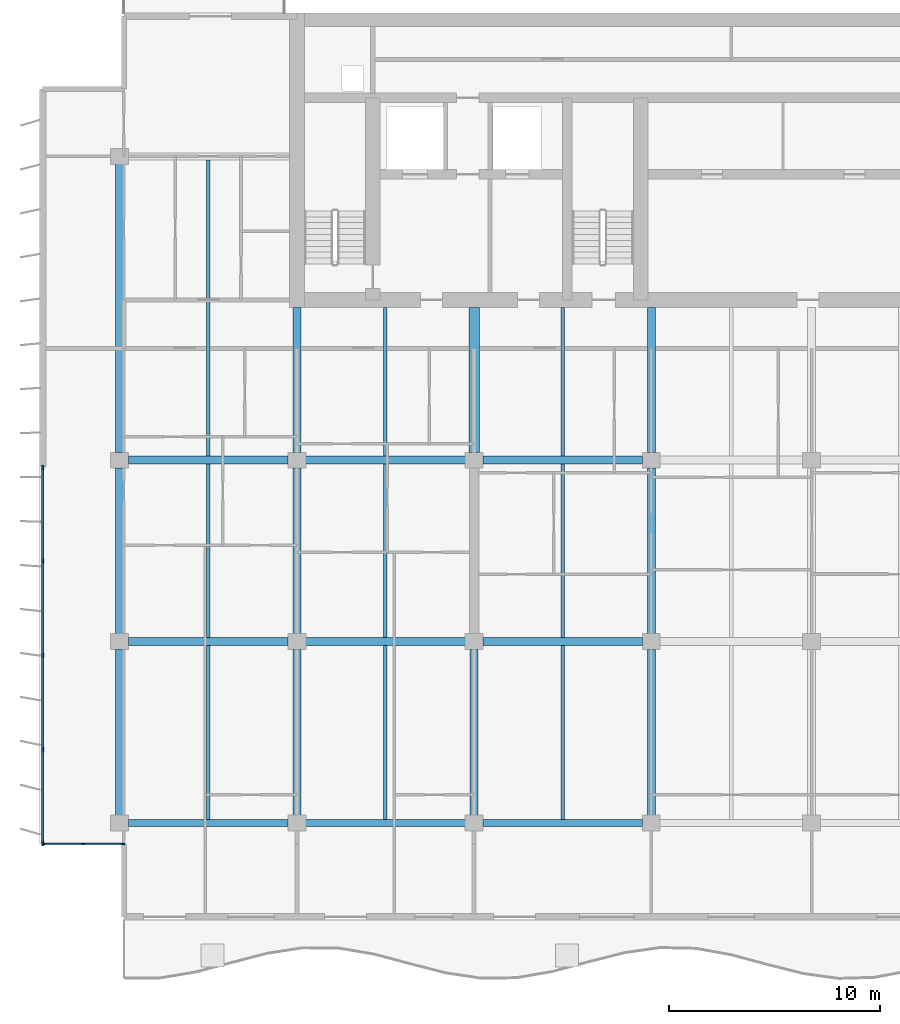
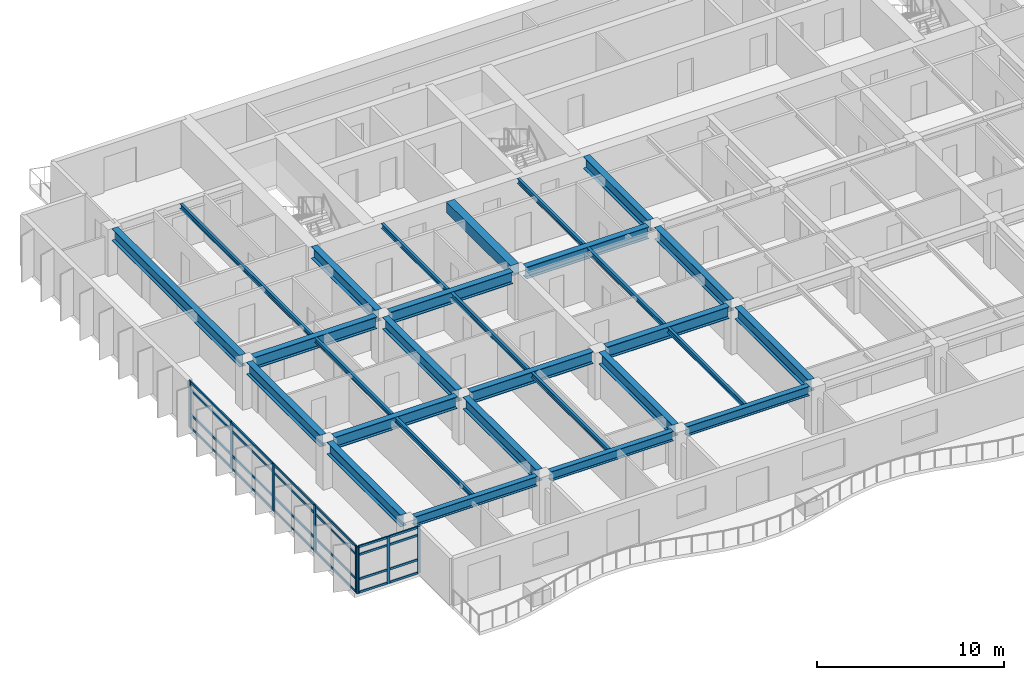
# One storey, part 2 of 16: 32 members, 29 beams, 2 elements without a shape of their own.
"""IFC4 building model written with IfcOpenShell, lengths in metres."""

from ifc_helpers import new_model, si_unit, direction, frame, origin, origin_2d, place, context, subcontext, project, spatial, rectangle, i_section, extrude, material, layer, layer_set, material_profile, profile_set, type_object, element, aggregate, save


model = new_model("IFC4")

# Units and contexts
model_context = context("Model", 3, precision=1e-05, world=origin(), true_north=direction((0.0, 1.0)))
body_context = subcontext(model_context, "Body", "Model", "MODEL_VIEW")
ifc_project = project(units=[si_unit("LENGTHUNIT", "METRE"), si_unit("AREAUNIT", "SQUARE_METRE"), si_unit("VOLUMEUNIT", "CUBIC_METRE"), si_unit("PLANEANGLEUNIT", "RADIAN"), si_unit("MASSUNIT", "GRAM", prefix="KILO")], contexts=[model_context])

# Site, building, storey
site_placement = place(None, origin())
site = spatial("IfcSite", under=ifc_project, at=site_placement, CompositionType="ELEMENT")
building_placement = place(site_placement, origin())
building = spatial("IfcBuilding", under=site, at=building_placement, Name="Caelmar Bay Residences", CompositionType="ELEMENT")
storey_placement = place(building_placement, frame((0.0, 0.0, 198.300048828125)))
storey = spatial("IfcBuildingStorey", under=building, at=storey_placement, Name="L55", CompositionType="ELEMENT", Elevation=198.300048828125)

# Beams
ifc_material_1 = material(Name="Steel ASTM A992 Grade 50", Category="steel")
ifc_material_profile_1 = material_profile(ifc_material_1, i_section(OverallWidth=0.381103515625, OverallDepth=0.77197265625, WebThickness=0.0166015625, FlangeThickness=0.027099609375, FilletRadius=0.0166015625, at=origin_2d()), Name="W30X173")
ifc_profile_set_1 = profile_set([ifc_material_profile_1], Name="Steel ASTM A992 Grade 50")
beam_type_1 = type_object("IfcBeamType", Name="BM-GRD-W30X173", PredefinedType="BEAM", material=ifc_profile_set_1)
beam_1_placement = place(storey_placement, frame((10.31494140625, 20.800048828125, 2.6640625), z_axis=(1.0, 0.0, 0.0), x_axis=(0.0, 1.0, 0.0)))
element("IfcBeam", 1, at=beam_1_placement, inside=storey, type_object=beam_type_1, Name="L55 East-West Girder Y=20.80 (9.9-18.3)", PredefinedType="BEAM", context=body_context, shape_type="SweptSolid", body=[
    extrude(i_section(OverallWidth=0.381103515625, OverallDepth=0.77197265625, WebThickness=0.0166015625, FlangeThickness=0.027099609375, FilletRadius=0.0166015625, at=origin_2d()), origin(), (0.0, 0.0, 1.0), 7.570068359375),
])
beam_2_placement = place(storey_placement, frame((18.715087890625, 20.800048828125, 2.6640625), z_axis=(1.0, 0.0, 0.0), x_axis=(0.0, 1.0, 0.0)))
element("IfcBeam", 2, at=beam_2_placement, inside=storey, type_object=beam_type_1, Name="L55 East-West Girder Y=20.80 (18.3-26.7)", PredefinedType="BEAM", context=body_context, shape_type="SweptSolid", body=[
    extrude(i_section(OverallWidth=0.381103515625, OverallDepth=0.77197265625, WebThickness=0.0166015625, FlangeThickness=0.027099609375, FilletRadius=0.0166015625, at=origin_2d()), origin(), (0.0, 0.0, 1.0), 7.56982421875),
])
for number, where, z_axis, x_axis, name in (
    (3, (27.114990234375, 20.800048828125, 2.6640625), (1.0, 0.0, 0.0), (0.0, 1.0, 0.0), "L55 East-West Girder Y=20.80 (26.7-35.1)"),
    (4, (10.31494140625, 29.39990234375, 2.6640625), (1.0, 0.0, 0.0), (0.0, 1.0, 0.0), "L55 East-West Girder Y=29.40 (9.9-18.3)"),
):
    element("IfcBeam", number, at=place(storey_placement, frame(where, z_axis=z_axis, x_axis=x_axis)), inside=storey, type_object=beam_type_1, Name=name, PredefinedType="BEAM", context=body_context, shape_type="SweptSolid", body=[
        extrude(i_section(OverallWidth=0.381103515625, OverallDepth=0.77197265625, WebThickness=0.0166015625, FlangeThickness=0.027099609375, FilletRadius=0.0166015625, at=origin_2d()), origin(), (0.0, 0.0, 1.0), 7.570068359375),
    ])
beam_3_placement = place(storey_placement, frame((18.715087890625, 29.39990234375, 2.6640625), z_axis=(1.0, 0.0, 0.0), x_axis=(0.0, 1.0, 0.0)))
element("IfcBeam", 5, at=beam_3_placement, inside=storey, type_object=beam_type_1, Name="L55 East-West Girder Y=29.40 (18.3-26.7)", PredefinedType="BEAM", context=body_context, shape_type="SweptSolid", body=[
    extrude(i_section(OverallWidth=0.381103515625, OverallDepth=0.77197265625, WebThickness=0.0166015625, FlangeThickness=0.027099609375, FilletRadius=0.0166015625, at=origin_2d()), origin(), (0.0, 0.0, 1.0), 7.56982421875),
])
beam_4_placement = place(storey_placement, frame((27.114990234375, 29.39990234375, 2.6640625), z_axis=(1.0, 0.0, 0.0), x_axis=(0.0, 1.0, 0.0)))
element("IfcBeam", 6, at=beam_4_placement, inside=storey, type_object=beam_type_1, Name="L55 East-West Girder Y=29.40 (26.7-35.1)", PredefinedType="BEAM", context=body_context, shape_type="SweptSolid", body=[
    extrude(i_section(OverallWidth=0.381103515625, OverallDepth=0.77197265625, WebThickness=0.0166015625, FlangeThickness=0.027099609375, FilletRadius=0.0166015625, at=origin_2d()), origin(), (0.0, 0.0, 1.0), 7.570068359375),
])
beam_5_placement = place(storey_placement, frame((9.89990234375, 12.56494140625, 2.6640625), z_axis=(0.0, 1.0, 0.0), x_axis=(-1.0, 0.0, 0.0)))
element("IfcBeam", 7, at=beam_5_placement, inside=storey, type_object=beam_type_1, Name="L55 North-South Girder X=9.90 (12.2-20.8)", PredefinedType="BEAM", context=body_context, shape_type="SweptSolid", body=[
    extrude(i_section(OverallWidth=0.381103515625, OverallDepth=0.77197265625, WebThickness=0.0166015625, FlangeThickness=0.027099609375, FilletRadius=0.0166015625, at=origin_2d()), origin(), (0.0, 0.0, 1.0), 7.8701171875),
])
beam_6_placement = place(storey_placement, frame((9.89990234375, 21.1650390625, 2.6640625), z_axis=(0.0, 1.0, 0.0), x_axis=(-1.0, 0.0, 0.0)))
element("IfcBeam", 8, at=beam_6_placement, inside=storey, type_object=beam_type_1, Name="L55 North-South Girder X=9.90 (20.8-29.4)", PredefinedType="BEAM", context=body_context, shape_type="SweptSolid", body=[
    extrude(i_section(OverallWidth=0.381103515625, OverallDepth=0.77197265625, WebThickness=0.0166015625, FlangeThickness=0.027099609375, FilletRadius=0.0166015625, at=origin_2d()), origin(), (0.0, 0.0, 1.0), 7.869873046875),
])
beam_7_placement = place(storey_placement, frame((9.89990234375, 29.764892578125, 2.6640625), z_axis=(0.0, 1.0, 0.0), x_axis=(-1.0, 0.0, 0.0)))
element("IfcBeam", 9, at=beam_7_placement, inside=storey, type_object=beam_type_1, Name="L55 North-South Girder X=9.90 (29.4-43.8)", PredefinedType="BEAM", context=body_context, shape_type="SweptSolid", body=[
    extrude(i_section(OverallWidth=0.381103515625, OverallDepth=0.77197265625, WebThickness=0.0166015625, FlangeThickness=0.027099609375, FilletRadius=0.0166015625, at=origin_2d()), origin(), (0.0, 0.0, 1.0), 13.670166015625),
])
beam_8_placement = place(storey_placement, frame((18.300048828125, 29.764892578125, 2.6640625), z_axis=(0.0, 1.0, 0.0), x_axis=(-1.0, 0.0, 0.0)))
element("IfcBeam", 10, at=beam_8_placement, inside=storey, type_object=beam_type_1, Name="L55 Core Tie Girder X=18.30", PredefinedType="BEAM", context=body_context, shape_type="SweptSolid", body=[
    extrude(i_section(OverallWidth=0.381103515625, OverallDepth=0.77197265625, WebThickness=0.0166015625, FlangeThickness=0.027099609375, FilletRadius=0.0166015625, at=origin_2d()), origin(), (0.0, 0.0, 1.0), 6.885009765625),
])
beam_9_placement = place(storey_placement, frame((18.300048828125, 12.56494140625, 2.6640625), z_axis=(0.0, 1.0, 0.0), x_axis=(-1.0, 0.0, 0.0)))
element("IfcBeam", 11, at=beam_9_placement, inside=storey, type_object=beam_type_1, Name="L55 North-South Girder X=18.30 (12.2-20.8)", PredefinedType="BEAM", context=body_context, shape_type="SweptSolid", body=[
    extrude(i_section(OverallWidth=0.381103515625, OverallDepth=0.77197265625, WebThickness=0.0166015625, FlangeThickness=0.027099609375, FilletRadius=0.0166015625, at=origin_2d()), origin(), (0.0, 0.0, 1.0), 7.8701171875),
])
beam_10_placement = place(storey_placement, frame((18.300048828125, 21.1650390625, 2.6640625), z_axis=(0.0, 1.0, 0.0), x_axis=(-1.0, 0.0, 0.0)))
element("IfcBeam", 12, at=beam_10_placement, inside=storey, type_object=beam_type_1, Name="L55 North-South Girder X=18.30 (20.8-29.4)", PredefinedType="BEAM", context=body_context, shape_type="SweptSolid", body=[
    extrude(i_section(OverallWidth=0.381103515625, OverallDepth=0.77197265625, WebThickness=0.0166015625, FlangeThickness=0.027099609375, FilletRadius=0.0166015625, at=origin_2d()), origin(), (0.0, 0.0, 1.0), 7.869873046875),
])
beam_11_placement = place(storey_placement, frame((26.699951171875, 12.56494140625, 2.6640625), z_axis=(0.0, 1.0, 0.0), x_axis=(-1.0, 0.0, 0.0)))
element("IfcBeam", 13, at=beam_11_placement, inside=storey, type_object=beam_type_1, Name="L55 North-South Girder X=26.70 (12.2-20.8)", PredefinedType="BEAM", context=body_context, shape_type="SweptSolid", body=[
    extrude(i_section(OverallWidth=0.381103515625, OverallDepth=0.77197265625, WebThickness=0.0166015625, FlangeThickness=0.027099609375, FilletRadius=0.0166015625, at=origin_2d()), origin(), (0.0, 0.0, 1.0), 7.8701171875),
])
beam_12_placement = place(storey_placement, frame((35.10009765625, 29.764892578125, 2.6640625), z_axis=(0.0, 1.0, 0.0), x_axis=(-1.0, 0.0, 0.0)))
element("IfcBeam", 14, at=beam_12_placement, inside=storey, type_object=beam_type_1, Name="L55 Core Tie Girder X=35.10", PredefinedType="BEAM", context=body_context, shape_type="SweptSolid", body=[
    extrude(i_section(OverallWidth=0.381103515625, OverallDepth=0.77197265625, WebThickness=0.0166015625, FlangeThickness=0.027099609375, FilletRadius=0.0166015625, at=origin_2d()), origin(), (0.0, 0.0, 1.0), 6.885009765625),
])
beam_13_placement = place(storey_placement, frame((35.10009765625, 12.56494140625, 2.6640625), z_axis=(0.0, 1.0, 0.0), x_axis=(-1.0, 0.0, 0.0)))
element("IfcBeam", 15, at=beam_13_placement, inside=storey, type_object=beam_type_1, Name="L55 North-South Girder X=35.10 (12.2-20.8)", PredefinedType="BEAM", context=body_context, shape_type="SweptSolid", body=[
    extrude(i_section(OverallWidth=0.381103515625, OverallDepth=0.77197265625, WebThickness=0.0166015625, FlangeThickness=0.027099609375, FilletRadius=0.0166015625, at=origin_2d()), origin(), (0.0, 0.0, 1.0), 7.8701171875),
])
beam_14_placement = place(storey_placement, frame((35.10009765625, 21.1650390625, 2.6640625), z_axis=(0.0, 1.0, 0.0), x_axis=(-1.0, 0.0, 0.0)))
element("IfcBeam", 16, at=beam_14_placement, inside=storey, type_object=beam_type_1, Name="L55 North-South Girder X=35.10 (20.8-29.4)", PredefinedType="BEAM", context=body_context, shape_type="SweptSolid", body=[
    extrude(i_section(OverallWidth=0.381103515625, OverallDepth=0.77197265625, WebThickness=0.0166015625, FlangeThickness=0.027099609375, FilletRadius=0.0166015625, at=origin_2d()), origin(), (0.0, 0.0, 1.0), 7.869873046875),
])
ifc_material_profile_2 = material_profile(ifc_material_1, i_section(OverallWidth=0.1650390625, OverallDepth=0.31005859375, WebThickness=0.005859375, FlangeThickness=0.009765625, FilletRadius=0.007568359375, at=origin_2d()), Name="W12X26")
ifc_profile_set_2 = profile_set([ifc_material_profile_2], Name="Steel ASTM A992 Grade 50")
beam_type_2 = type_object("IfcBeamType", Name="BM-JST-W12X26", PredefinedType="JOIST", material=ifc_profile_set_2)
for number, where, z_axis, x_axis, name in (
    (17, (14.10009765625, 12.362548828125, 2.89501953125), (0.0, 1.0, 0.0), (-1.0, 0.0, 0.0), "L55 Composite Floor Joist 1"),
    (18, (22.5, 12.362548828125, 2.89501953125), (0.0, 1.0, 0.0), (-1.0, 0.0, 0.0), "L55 Composite Floor Joist 2"),
    (19, (30.89990234375, 12.362548828125, 2.89501953125), (0.0, 1.0, 0.0), (-1.0, 0.0, 0.0), "L55 Composite Floor Joist 3"),
):
    element("IfcBeam", number, at=place(storey_placement, frame(where, z_axis=z_axis, x_axis=x_axis)), inside=storey, type_object=beam_type_2, Name=name, PredefinedType="JOIST", context=body_context, shape_type="SweptSolid", body=[
        extrude(i_section(OverallWidth=0.1650390625, OverallDepth=0.31005859375, WebThickness=0.005859375, FlangeThickness=0.009765625, FilletRadius=0.007568359375, at=origin_2d()), origin(), (0.0, 0.0, 1.0), 8.2470703125),
    ])
for number, where, z_axis, x_axis, name in (
    (20, (14.10009765625, 20.990478515625, 2.89501953125), (0.0, 1.0, 0.0), (-1.0, 0.0, 0.0), "L55 Composite Floor Joist 8"),
    (21, (22.5, 20.990478515625, 2.89501953125), (0.0, 1.0, 0.0), (-1.0, 0.0, 0.0), "L55 Composite Floor Joist 9"),
    (22, (30.89990234375, 20.990478515625, 2.89501953125), (0.0, 1.0, 0.0), (-1.0, 0.0, 0.0), "L55 Composite Floor Joist 10"),
):
    element("IfcBeam", number, at=place(storey_placement, frame(where, z_axis=z_axis, x_axis=x_axis)), inside=storey, type_object=beam_type_2, Name=name, PredefinedType="JOIST", context=body_context, shape_type="SweptSolid", body=[
        extrude(i_section(OverallWidth=0.1650390625, OverallDepth=0.31005859375, WebThickness=0.005859375, FlangeThickness=0.009765625, FilletRadius=0.007568359375, at=origin_2d()), origin(), (0.0, 0.0, 1.0), 8.218994140625),
    ])
for number, where, z_axis, x_axis, name in (
    (23, (22.5, 29.590576171875, 2.89501953125), (0.0, 1.0, 0.0), (-1.0, 0.0, 0.0), "L55 Core-Band Composite Joist 15"),
    (24, (30.89990234375, 29.590576171875, 2.89501953125), (0.0, 1.0, 0.0), (-1.0, 0.0, 0.0), "L55 Core-Band Composite Joist 16"),
):
    element("IfcBeam", number, at=place(storey_placement, frame(where, z_axis=z_axis, x_axis=x_axis)), inside=storey, type_object=beam_type_2, Name=name, PredefinedType="JOIST", context=body_context, shape_type="SweptSolid", body=[
        extrude(i_section(OverallWidth=0.1650390625, OverallDepth=0.31005859375, WebThickness=0.005859375, FlangeThickness=0.009765625, FilletRadius=0.007568359375, at=origin_2d()), origin(), (0.0, 0.0, 1.0), 7.059326171875),
    ])
beam_15_placement = place(storey_placement, frame((14.10009765625, 29.590576171875, 2.89501953125), z_axis=(0.0, 1.0, 0.0), x_axis=(-1.0, 0.0, 0.0)))
element("IfcBeam", 25, at=beam_15_placement, inside=storey, type_object=beam_type_2, Name="L55 Composite Floor Joist 20", PredefinedType="JOIST", context=body_context, shape_type="SweptSolid", body=[
    extrude(i_section(OverallWidth=0.1650390625, OverallDepth=0.31005859375, WebThickness=0.005859375, FlangeThickness=0.009765625, FilletRadius=0.007568359375, at=origin_2d()), origin(), (0.0, 0.0, 1.0), 14.046875),
])
ifc_material_2 = material(Name="Concrete f'c 55 MPa (8,000 psi)", Category="concrete")
ifc_material_profile_3 = material_profile(ifc_material_2, rectangle(XDim=0.5, YDim=0.699951171875, at=origin_2d()), Name="RC-BM-500X700")
ifc_profile_set_3 = profile_set([ifc_material_profile_3], Name="Concrete f'c 55 MPa (8,000 psi)")
beam_type_3 = type_object("IfcBeamType", Name="BM-RC-500X700", PredefinedType="LINTEL", material=ifc_profile_set_3)
beam_16_placement = place(storey_placement, frame((26.699951171875, 29.764892578125, 2.699951171875), z_axis=(0.0, 1.0, 0.0), x_axis=(-1.0, 0.0, 0.0)))
element("IfcBeam", 26, at=beam_16_placement, inside=storey, type_object=beam_type_3, Name="L55 Shear-Wall Corridor Coupling Lintel W5", PredefinedType="LINTEL", context=body_context, shape_type="SweptSolid", body=[
    extrude(rectangle(XDim=0.5, YDim=0.699951171875, at=origin_2d()), origin(), (0.0, 0.0, 1.0), 6.885009765625),
])
ifc_material_profile_4 = material_profile(ifc_material_1, i_section(OverallWidth=0.324951171875, OverallDepth=0.616943359375, WebThickness=0.013916015625, FlangeThickness=0.021484375, FilletRadius=0.0126953125, at=origin_2d()), Name="W24X117")
ifc_profile_set_4 = profile_set([ifc_material_profile_4], Name="Steel ASTM A992 Grade 50")
beam_type_4 = type_object("IfcBeamType", Name="BM-SPN-W24X117", PredefinedType="SPANDREL", material=ifc_profile_set_4)
beam_17_placement = place(storey_placement, frame((10.31494140625, 12.199951171875, 2.741455078125), z_axis=(1.0, 0.0, 0.0), x_axis=(0.0, 1.0, 0.0)))
element("IfcBeam", 27, at=beam_17_placement, inside=storey, type_object=beam_type_4, Name="L55 East-West Girder Y=12.20 (9.9-18.3)", PredefinedType="SPANDREL", context=body_context, shape_type="SweptSolid", body=[
    extrude(i_section(OverallWidth=0.324951171875, OverallDepth=0.616943359375, WebThickness=0.013916015625, FlangeThickness=0.021484375, FilletRadius=0.0126953125, at=origin_2d()), origin(), (0.0, 0.0, 1.0), 7.570068359375),
])
beam_18_placement = place(storey_placement, frame((18.715087890625, 12.199951171875, 2.741455078125), z_axis=(1.0, 0.0, 0.0), x_axis=(0.0, 1.0, 0.0)))
element("IfcBeam", 28, at=beam_18_placement, inside=storey, type_object=beam_type_4, Name="L55 East-West Girder Y=12.20 (18.3-26.7)", PredefinedType="SPANDREL", context=body_context, shape_type="SweptSolid", body=[
    extrude(i_section(OverallWidth=0.324951171875, OverallDepth=0.616943359375, WebThickness=0.013916015625, FlangeThickness=0.021484375, FilletRadius=0.0126953125, at=origin_2d()), origin(), (0.0, 0.0, 1.0), 7.56982421875),
])
beam_19_placement = place(storey_placement, frame((27.114990234375, 12.199951171875, 2.741455078125), z_axis=(1.0, 0.0, 0.0), x_axis=(0.0, 1.0, 0.0)))
element("IfcBeam", 29, at=beam_19_placement, inside=storey, type_object=beam_type_4, Name="L55 East-West Girder Y=12.20 (26.7-35.1)", PredefinedType="SPANDREL", context=body_context, shape_type="SweptSolid", body=[
    extrude(i_section(OverallWidth=0.324951171875, OverallDepth=0.616943359375, WebThickness=0.013916015625, FlangeThickness=0.021484375, FilletRadius=0.0126953125, at=origin_2d()), origin(), (0.0, 0.0, 1.0), 7.570068359375),
])

# Curtain wall, members
ifc_material_3 = material(Name="Anodised bronze aluminium 6063-T6 and laminated glass", Category="aluminium")
ifc_layer_1 = layer(ifc_material_3, 0.179931640625)
ifc_layer_set_1 = layer_set([ifc_layer_1], Name="Anodised bronze aluminium 6063-T6 and laminated glass")
curtain_wall_type_1 = type_object("IfcCurtainWallType", Name="CW6-NTC", PredefinedType="NOTDEFINED", material=ifc_layer_set_1)
curtain_wall_1_placement = place(storey_placement, origin())
curtain_wall_1 = element("IfcCurtainWall", 30, at=curtain_wall_1_placement, inside=storey, type_object=curtain_wall_type_1, Name="CW6 curtain wall L55", PredefinedType="NOTDEFINED")
ifc_material_4 = material(Name="Anodised bronze aluminium 6063-T6", Category="aluminium")
ifc_material_profile_5 = material_profile(ifc_material_4, rectangle(XDim=0.080078125, YDim=0.179931640625, at=origin_2d()), Name="CWM-80X180")
ifc_profile_set_5 = profile_set([ifc_material_profile_5], Name="Anodised bronze aluminium 6063-T6")
member_type_1 = type_object("IfcMemberType", Name="CWM-180", PredefinedType="MULLION", material=ifc_profile_set_5)
member_1_placement = place(storey_placement, frame((6.2900390625, 11.199951171875, 0.0), z_axis=(0.0, 0.0, 1.0), x_axis=(0.0, 1.0, 0.0)))
member_1 = element("IfcMember", 31, at=member_1_placement, type_object=member_type_1, Name="CW6 mullion 1", PredefinedType="MULLION", context=body_context, shape_type="SweptSolid", body=[
    extrude(rectangle(XDim=0.080078125, YDim=0.179931640625, at=origin_2d()), origin(), (0.0, 0.0, 1.0), 3.050048828125),
])
member_2_placement = place(storey_placement, frame((8.175048828125, 11.199951171875, 0.0), z_axis=(0.0, 0.0, 1.0), x_axis=(0.0, 1.0, 0.0)))
member_2 = element("IfcMember", 32, at=member_2_placement, type_object=member_type_1, Name="CW6 mullion 2", PredefinedType="MULLION", context=body_context, shape_type="SweptSolid", body=[
    extrude(rectangle(XDim=0.080078125, YDim=0.179931640625, at=origin_2d()), origin(), (0.0, 0.0, 1.0), 3.050048828125),
])
member_3_placement = place(storey_placement, frame((10.06005859375, 11.199951171875, 0.0), z_axis=(0.0, 0.0, 1.0), x_axis=(0.0, 1.0, 0.0)))
member_3 = element("IfcMember", 33, at=member_3_placement, type_object=member_type_1, Name="CW6 mullion 3", PredefinedType="MULLION", context=body_context, shape_type="SweptSolid", body=[
    extrude(rectangle(XDim=0.080078125, YDim=0.179931640625, at=origin_2d()), origin(), (0.0, 0.0, 1.0), 3.050048828125),
])

ifc_layer_2 = layer(ifc_material_3, 0.179931640625)
ifc_layer_set_2 = layer_set([ifc_layer_2], Name="Anodised bronze aluminium 6063-T6 and laminated glass")
curtain_wall_type_2 = type_object("IfcCurtainWallType", Name="CW4-Z3", PredefinedType="NOTDEFINED", material=ifc_layer_set_2)
curtain_wall_2_placement = place(storey_placement, origin())
curtain_wall_2 = element("IfcCurtainWall", 34, at=curtain_wall_2_placement, inside=storey, type_object=curtain_wall_type_2, Name="CW4 curtain wall L55", PredefinedType="NOTDEFINED")
ifc_material_profile_6 = material_profile(ifc_material_4, rectangle(XDim=0.080078125, YDim=0.219970703125, at=origin_2d()), Name="CWM-80X220")
ifc_profile_set_6 = profile_set([ifc_material_profile_6], Name="Anodised bronze aluminium 6063-T6")
member_type_2 = type_object("IfcMemberType", Name="CWM-220", PredefinedType="MULLION", material=ifc_profile_set_6)
member_4_placement = place(storey_placement, frame((6.25, 11.239990234375, 0.0), z_axis=(0.0, 0.0, 1.0), x_axis=(-1.0, 0.0, 0.0)))
member_4 = element("IfcMember", 35, at=member_4_placement, type_object=member_type_2, Name="CW4 mullion 1", PredefinedType="MULLION", context=body_context, shape_type="SweptSolid", body=[
    extrude(rectangle(XDim=0.080078125, YDim=0.219970703125, at=origin_2d()), origin(), (0.0, 0.0, 1.0), 3.050048828125),
])
member_5_placement = place(storey_placement, frame((6.25, 15.675048828125, 0.0), z_axis=(0.0, 0.0, 1.0), x_axis=(-1.0, 0.0, 0.0)))
member_5 = element("IfcMember", 36, at=member_5_placement, type_object=member_type_2, Name="CW4 mullion 2", PredefinedType="MULLION", context=body_context, shape_type="SweptSolid", body=[
    extrude(rectangle(XDim=0.080078125, YDim=0.219970703125, at=origin_2d()), origin(), (0.0, 0.0, 1.0), 3.050048828125),
])
member_6_placement = place(storey_placement, frame((6.25, 20.14990234375, 0.0), z_axis=(0.0, 0.0, 1.0), x_axis=(-1.0, 0.0, 0.0)))
member_6 = element("IfcMember", 37, at=member_6_placement, type_object=member_type_2, Name="CW4 mullion 3", PredefinedType="MULLION", context=body_context, shape_type="SweptSolid", body=[
    extrude(rectangle(XDim=0.080078125, YDim=0.219970703125, at=origin_2d()), origin(), (0.0, 0.0, 1.0), 3.050048828125),
])
member_7_placement = place(storey_placement, frame((6.25, 24.625, 0.0), z_axis=(0.0, 0.0, 1.0), x_axis=(-1.0, 0.0, 0.0)))
member_7 = element("IfcMember", 38, at=member_7_placement, type_object=member_type_2, Name="CW4 mullion 4", PredefinedType="MULLION", context=body_context, shape_type="SweptSolid", body=[
    extrude(rectangle(XDim=0.080078125, YDim=0.219970703125, at=origin_2d()), origin(), (0.0, 0.0, 1.0), 3.050048828125),
])
member_8_placement = place(storey_placement, frame((6.25, 29.06005859375, 0.0), z_axis=(0.0, 0.0, 1.0), x_axis=(-1.0, 0.0, 0.0)))
member_8 = element("IfcMember", 39, at=member_8_placement, type_object=member_type_2, Name="CW4 mullion 5", PredefinedType="MULLION", context=body_context, shape_type="SweptSolid", body=[
    extrude(rectangle(XDim=0.080078125, YDim=0.219970703125, at=origin_2d()), origin(), (0.0, 0.0, 1.0), 3.050048828125),
])

# Member
ifc_material_profile_7 = material_profile(ifc_material_4, rectangle(XDim=0.080078125, YDim=0.139892578125, at=origin_2d()), Name="CWT-80X140")
ifc_profile_set_7 = profile_set([ifc_material_profile_7], Name="Anodised bronze aluminium 6063-T6")
member_type_3 = type_object("IfcMemberType", Name="CWT-140", PredefinedType="NOTDEFINED", material=ifc_profile_set_7)
member_9_placement = place(storey_placement, frame((6.330078125, 11.199951171875, 0.0400390625), z_axis=(1.0, 0.0, 0.0), x_axis=(0.0, 1.0, 0.0)))
member_9 = element("IfcMember", 40, at=member_9_placement, type_object=member_type_3, Name="CW6 transom 1.1", ObjectType="TRANSOM", PredefinedType="USERDEFINED", context=body_context, shape_type="SweptSolid", body=[
    extrude(rectangle(XDim=0.080078125, YDim=0.139892578125, at=origin_2d()), origin(), (0.0, 0.0, 1.0), 1.804931640625),
])

member_10_placement = place(storey_placement, frame((6.330078125, 11.199951171875, 0.89990234375), z_axis=(1.0, 0.0, 0.0), x_axis=(0.0, 1.0, 0.0)))
member_10 = element("IfcMember", 41, at=member_10_placement, type_object=member_type_3, Name="CW6 transom 1.2", ObjectType="TRANSOM", PredefinedType="USERDEFINED", context=body_context, shape_type="SweptSolid", body=[
    extrude(rectangle(XDim=0.080078125, YDim=0.139892578125, at=origin_2d()), origin(), (0.0, 0.0, 1.0), 1.804931640625),
])

member_11_placement = place(storey_placement, frame((6.330078125, 11.199951171875, 2.5), z_axis=(1.0, 0.0, 0.0), x_axis=(0.0, 1.0, 0.0)))
member_11 = element("IfcMember", 42, at=member_11_placement, type_object=member_type_3, Name="CW6 transom 1.3", ObjectType="TRANSOM", PredefinedType="USERDEFINED", context=body_context, shape_type="SweptSolid", body=[
    extrude(rectangle(XDim=0.080078125, YDim=0.139892578125, at=origin_2d()), origin(), (0.0, 0.0, 1.0), 1.804931640625),
])

member_12_placement = place(storey_placement, frame((6.330078125, 11.199951171875, 3.010009765625), z_axis=(1.0, 0.0, 0.0), x_axis=(0.0, 1.0, 0.0)))
member_12 = element("IfcMember", 43, at=member_12_placement, type_object=member_type_3, Name="CW6 transom 1.4", ObjectType="TRANSOM", PredefinedType="USERDEFINED", context=body_context, shape_type="SweptSolid", body=[
    extrude(rectangle(XDim=0.080078125, YDim=0.139892578125, at=origin_2d()), origin(), (0.0, 0.0, 1.0), 1.804931640625),
])

member_13_placement = place(storey_placement, frame((8.215087890625, 11.199951171875, 0.0400390625), z_axis=(1.0, 0.0, 0.0), x_axis=(0.0, 1.0, 0.0)))
member_13 = element("IfcMember", 44, at=member_13_placement, type_object=member_type_3, Name="CW6 transom 2.1", ObjectType="TRANSOM", PredefinedType="USERDEFINED", context=body_context, shape_type="SweptSolid", body=[
    extrude(rectangle(XDim=0.080078125, YDim=0.139892578125, at=origin_2d()), origin(), (0.0, 0.0, 1.0), 1.804931640625),
])

member_14_placement = place(storey_placement, frame((8.215087890625, 11.199951171875, 0.89990234375), z_axis=(1.0, 0.0, 0.0), x_axis=(0.0, 1.0, 0.0)))
member_14 = element("IfcMember", 45, at=member_14_placement, type_object=member_type_3, Name="CW6 transom 2.2", ObjectType="TRANSOM", PredefinedType="USERDEFINED", context=body_context, shape_type="SweptSolid", body=[
    extrude(rectangle(XDim=0.080078125, YDim=0.139892578125, at=origin_2d()), origin(), (0.0, 0.0, 1.0), 1.804931640625),
])

member_15_placement = place(storey_placement, frame((8.215087890625, 11.199951171875, 2.5), z_axis=(1.0, 0.0, 0.0), x_axis=(0.0, 1.0, 0.0)))
member_15 = element("IfcMember", 46, at=member_15_placement, type_object=member_type_3, Name="CW6 transom 2.3", ObjectType="TRANSOM", PredefinedType="USERDEFINED", context=body_context, shape_type="SweptSolid", body=[
    extrude(rectangle(XDim=0.080078125, YDim=0.139892578125, at=origin_2d()), origin(), (0.0, 0.0, 1.0), 1.804931640625),
])

member_16_placement = place(storey_placement, frame((8.215087890625, 11.199951171875, 3.010009765625), z_axis=(1.0, 0.0, 0.0), x_axis=(0.0, 1.0, 0.0)))
member_16 = element("IfcMember", 47, at=member_16_placement, type_object=member_type_3, Name="CW6 transom 2.4", ObjectType="TRANSOM", PredefinedType="USERDEFINED", context=body_context, shape_type="SweptSolid", body=[
    extrude(rectangle(XDim=0.080078125, YDim=0.139892578125, at=origin_2d()), origin(), (0.0, 0.0, 1.0), 1.804931640625),
])

aggregate(curtain_wall_1, [member_1, member_2, member_3, member_9, member_10, member_11, member_12, member_13, member_14, member_15, member_16])

member_17_placement = place(storey_placement, frame((6.25, 11.280029296875, 0.0400390625), z_axis=(0.0, 1.0, 0.0), x_axis=(-1.0, 0.0, 0.0)))
member_17 = element("IfcMember", 48, at=member_17_placement, type_object=member_type_3, Name="CW4 transom 1.1", ObjectType="TRANSOM", PredefinedType="USERDEFINED", context=body_context, shape_type="SweptSolid", body=[
    extrude(rectangle(XDim=0.080078125, YDim=0.139892578125, at=origin_2d()), origin(), (0.0, 0.0, 1.0), 4.35498046875),
])

member_18_placement = place(storey_placement, frame((6.25, 11.280029296875, 0.89990234375), z_axis=(0.0, 1.0, 0.0), x_axis=(-1.0, 0.0, 0.0)))
member_18 = element("IfcMember", 49, at=member_18_placement, type_object=member_type_3, Name="CW4 transom 1.2", ObjectType="TRANSOM", PredefinedType="USERDEFINED", context=body_context, shape_type="SweptSolid", body=[
    extrude(rectangle(XDim=0.080078125, YDim=0.139892578125, at=origin_2d()), origin(), (0.0, 0.0, 1.0), 4.35498046875),
])

member_19_placement = place(storey_placement, frame((6.25, 11.280029296875, 2.5), z_axis=(0.0, 1.0, 0.0), x_axis=(-1.0, 0.0, 0.0)))
member_19 = element("IfcMember", 50, at=member_19_placement, type_object=member_type_3, Name="CW4 transom 1.3", ObjectType="TRANSOM", PredefinedType="USERDEFINED", context=body_context, shape_type="SweptSolid", body=[
    extrude(rectangle(XDim=0.080078125, YDim=0.139892578125, at=origin_2d()), origin(), (0.0, 0.0, 1.0), 4.35498046875),
])

member_20_placement = place(storey_placement, frame((6.25, 11.280029296875, 3.010009765625), z_axis=(0.0, 1.0, 0.0), x_axis=(-1.0, 0.0, 0.0)))
member_20 = element("IfcMember", 51, at=member_20_placement, type_object=member_type_3, Name="CW4 transom 1.4", ObjectType="TRANSOM", PredefinedType="USERDEFINED", context=body_context, shape_type="SweptSolid", body=[
    extrude(rectangle(XDim=0.080078125, YDim=0.139892578125, at=origin_2d()), origin(), (0.0, 0.0, 1.0), 4.35498046875),
])

member_21_placement = place(storey_placement, frame((6.25, 15.715087890625, 0.0400390625), z_axis=(0.0, 1.0, 0.0), x_axis=(-1.0, 0.0, 0.0)))
member_21 = element("IfcMember", 52, at=member_21_placement, type_object=member_type_3, Name="CW4 transom 2.1", ObjectType="TRANSOM", PredefinedType="USERDEFINED", context=body_context, shape_type="SweptSolid", body=[
    extrude(rectangle(XDim=0.080078125, YDim=0.139892578125, at=origin_2d()), origin(), (0.0, 0.0, 1.0), 4.39501953125),
])

member_22_placement = place(storey_placement, frame((6.25, 15.715087890625, 0.89990234375), z_axis=(0.0, 1.0, 0.0), x_axis=(-1.0, 0.0, 0.0)))
member_22 = element("IfcMember", 53, at=member_22_placement, type_object=member_type_3, Name="CW4 transom 2.2", ObjectType="TRANSOM", PredefinedType="USERDEFINED", context=body_context, shape_type="SweptSolid", body=[
    extrude(rectangle(XDim=0.080078125, YDim=0.139892578125, at=origin_2d()), origin(), (0.0, 0.0, 1.0), 4.39501953125),
])

member_23_placement = place(storey_placement, frame((6.25, 15.715087890625, 2.5), z_axis=(0.0, 1.0, 0.0), x_axis=(-1.0, 0.0, 0.0)))
member_23 = element("IfcMember", 54, at=member_23_placement, type_object=member_type_3, Name="CW4 transom 2.3", ObjectType="TRANSOM", PredefinedType="USERDEFINED", context=body_context, shape_type="SweptSolid", body=[
    extrude(rectangle(XDim=0.080078125, YDim=0.139892578125, at=origin_2d()), origin(), (0.0, 0.0, 1.0), 4.39501953125),
])

member_24_placement = place(storey_placement, frame((6.25, 15.715087890625, 3.010009765625), z_axis=(0.0, 1.0, 0.0), x_axis=(-1.0, 0.0, 0.0)))
member_24 = element("IfcMember", 55, at=member_24_placement, type_object=member_type_3, Name="CW4 transom 2.4", ObjectType="TRANSOM", PredefinedType="USERDEFINED", context=body_context, shape_type="SweptSolid", body=[
    extrude(rectangle(XDim=0.080078125, YDim=0.139892578125, at=origin_2d()), origin(), (0.0, 0.0, 1.0), 4.39501953125),
])

member_25_placement = place(storey_placement, frame((6.25, 20.18994140625, 0.0400390625), z_axis=(0.0, 1.0, 0.0), x_axis=(-1.0, 0.0, 0.0)))
member_25 = element("IfcMember", 56, at=member_25_placement, type_object=member_type_3, Name="CW4 transom 3.1", ObjectType="TRANSOM", PredefinedType="USERDEFINED", context=body_context, shape_type="SweptSolid", body=[
    extrude(rectangle(XDim=0.080078125, YDim=0.139892578125, at=origin_2d()), origin(), (0.0, 0.0, 1.0), 4.39501953125),
])

member_26_placement = place(storey_placement, frame((6.25, 20.18994140625, 0.89990234375), z_axis=(0.0, 1.0, 0.0), x_axis=(-1.0, 0.0, 0.0)))
member_26 = element("IfcMember", 57, at=member_26_placement, type_object=member_type_3, Name="CW4 transom 3.2", ObjectType="TRANSOM", PredefinedType="USERDEFINED", context=body_context, shape_type="SweptSolid", body=[
    extrude(rectangle(XDim=0.080078125, YDim=0.139892578125, at=origin_2d()), origin(), (0.0, 0.0, 1.0), 4.39501953125),
])

member_27_placement = place(storey_placement, frame((6.25, 20.18994140625, 2.5), z_axis=(0.0, 1.0, 0.0), x_axis=(-1.0, 0.0, 0.0)))
member_27 = element("IfcMember", 58, at=member_27_placement, type_object=member_type_3, Name="CW4 transom 3.3", ObjectType="TRANSOM", PredefinedType="USERDEFINED", context=body_context, shape_type="SweptSolid", body=[
    extrude(rectangle(XDim=0.080078125, YDim=0.139892578125, at=origin_2d()), origin(), (0.0, 0.0, 1.0), 4.39501953125),
])

member_28_placement = place(storey_placement, frame((6.25, 20.18994140625, 3.010009765625), z_axis=(0.0, 1.0, 0.0), x_axis=(-1.0, 0.0, 0.0)))
member_28 = element("IfcMember", 59, at=member_28_placement, type_object=member_type_3, Name="CW4 transom 3.4", ObjectType="TRANSOM", PredefinedType="USERDEFINED", context=body_context, shape_type="SweptSolid", body=[
    extrude(rectangle(XDim=0.080078125, YDim=0.139892578125, at=origin_2d()), origin(), (0.0, 0.0, 1.0), 4.39501953125),
])

member_29_placement = place(storey_placement, frame((6.25, 24.6650390625, 0.0400390625), z_axis=(0.0, 1.0, 0.0), x_axis=(-1.0, 0.0, 0.0)))
member_29 = element("IfcMember", 60, at=member_29_placement, type_object=member_type_3, Name="CW4 transom 4.1", ObjectType="TRANSOM", PredefinedType="USERDEFINED", context=body_context, shape_type="SweptSolid", body=[
    extrude(rectangle(XDim=0.080078125, YDim=0.139892578125, at=origin_2d()), origin(), (0.0, 0.0, 1.0), 4.35498046875),
])

member_30_placement = place(storey_placement, frame((6.25, 24.6650390625, 0.89990234375), z_axis=(0.0, 1.0, 0.0), x_axis=(-1.0, 0.0, 0.0)))
member_30 = element("IfcMember", 61, at=member_30_placement, type_object=member_type_3, Name="CW4 transom 4.2", ObjectType="TRANSOM", PredefinedType="USERDEFINED", context=body_context, shape_type="SweptSolid", body=[
    extrude(rectangle(XDim=0.080078125, YDim=0.139892578125, at=origin_2d()), origin(), (0.0, 0.0, 1.0), 4.35498046875),
])

member_31_placement = place(storey_placement, frame((6.25, 24.6650390625, 2.5), z_axis=(0.0, 1.0, 0.0), x_axis=(-1.0, 0.0, 0.0)))
member_31 = element("IfcMember", 62, at=member_31_placement, type_object=member_type_3, Name="CW4 transom 4.3", ObjectType="TRANSOM", PredefinedType="USERDEFINED", context=body_context, shape_type="SweptSolid", body=[
    extrude(rectangle(XDim=0.080078125, YDim=0.139892578125, at=origin_2d()), origin(), (0.0, 0.0, 1.0), 4.35498046875),
])

member_32_placement = place(storey_placement, frame((6.25, 24.6650390625, 3.010009765625), z_axis=(0.0, 1.0, 0.0), x_axis=(-1.0, 0.0, 0.0)))
member_32 = element("IfcMember", 63, at=member_32_placement, type_object=member_type_3, Name="CW4 transom 4.4", ObjectType="TRANSOM", PredefinedType="USERDEFINED", context=body_context, shape_type="SweptSolid", body=[
    extrude(rectangle(XDim=0.080078125, YDim=0.139892578125, at=origin_2d()), origin(), (0.0, 0.0, 1.0), 4.35498046875),
])

aggregate(curtain_wall_2, [member_4, member_5, member_6, member_7, member_8, member_17, member_18, member_19, member_20, member_21, member_22, member_23, member_24, member_25, member_26, member_27, member_28, member_29, member_30, member_31, member_32])

save(model, "model.ifc")
